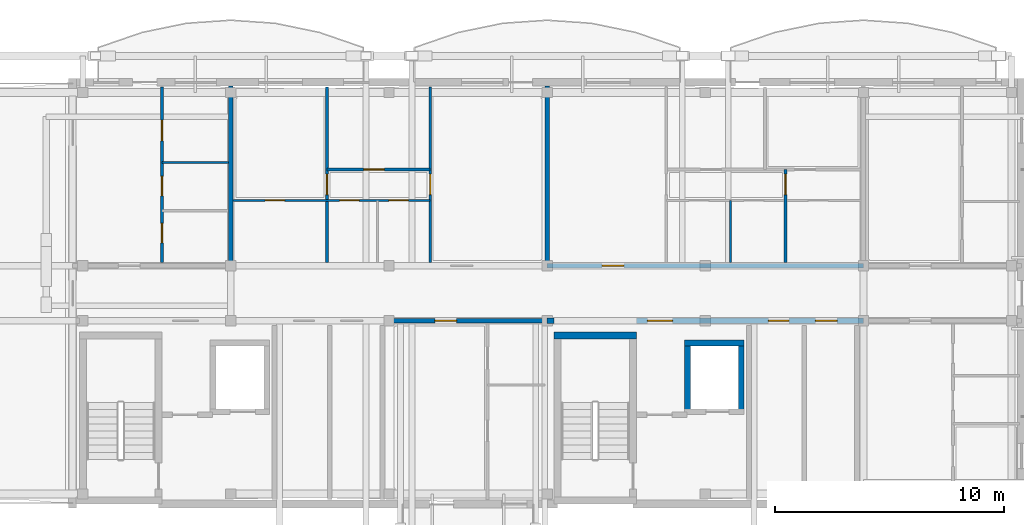
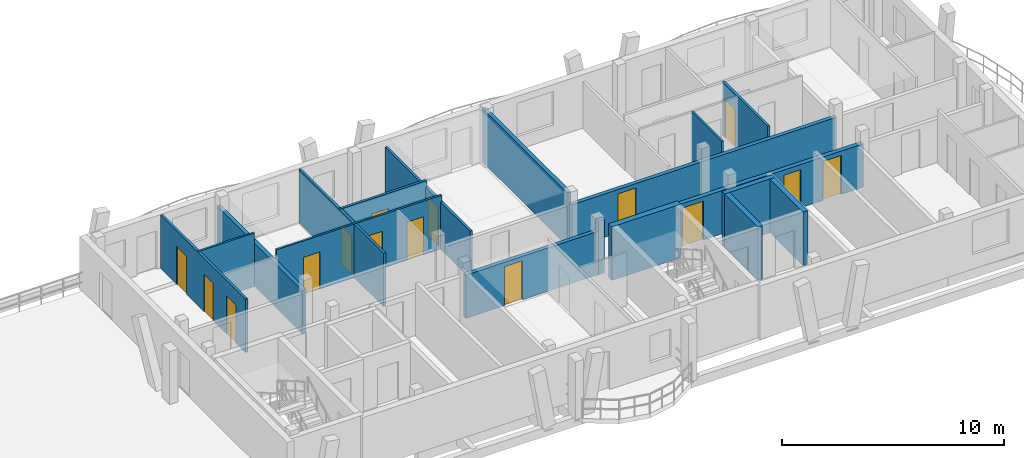
# One storey, part 31 of 44: 18 walls, 15 doors, 15 openings.
"""IFC4 building model written with IfcOpenShell, lengths in metres."""

from ifc_helpers import new_model, si_unit, direction, frame, frame_2d, origin, origin_with_axes, place, context, subcontext, project, spatial, rectangle, extrude, material, layer, layer_set, type_object, element, fill, save


model = new_model("IFC4")

# Units and contexts
model_context = context("Model", 3, precision=1e-05, world=origin(), true_north=direction((0.0, 1.0)))
body_context = subcontext(model_context, "Body", "Model", "MODEL_VIEW")
ifc_project = project(units=[si_unit("LENGTHUNIT", "METRE"), si_unit("AREAUNIT", "SQUARE_METRE"), si_unit("VOLUMEUNIT", "CUBIC_METRE"), si_unit("PLANEANGLEUNIT", "RADIAN"), si_unit("MASSUNIT", "GRAM", prefix="KILO")], contexts=[model_context])

# Site, building, storey
site_placement = place(None, origin())
site = spatial("IfcSite", under=ifc_project, at=site_placement, CompositionType="ELEMENT")
building_placement = place(site_placement, origin())
building = spatial("IfcBuilding", under=site, at=building_placement, Name="Zavelmont Quarter", CompositionType="ELEMENT")
storey_placement = place(building_placement, frame((0.0, 0.0, 20.800048828125)))
storey = spatial("IfcBuildingStorey", under=building, at=storey_placement, Name="L06", CompositionType="ELEMENT", Elevation=20.800048828125)

# Walls
ifc_material_1 = material(Name="Calcium-silicate blockwork and acoustic plaster", Category="masonry")
ifc_layer_1 = layer(ifc_material_1, 0.199951171875)
ifc_layer_set_1 = layer_set([ifc_layer_1], Name="Calcium-silicate blockwork and acoustic plaster")
wall_type_1 = type_object("IfcWallType", Name="IW01", PredefinedType="PARTITIONING", material=ifc_layer_set_1)
wall_1_placement = place(storey_placement, frame((133.5, 108.14990234375, 0.0), z_axis=(0.0, 0.0, 1.0), x_axis=(0.0, 1.0, 0.0)))
element("IfcWall", 1, at=wall_1_placement, inside=storey, type_object=wall_type_1, Name="L06 Inter-dwelling compartment wall IW01", PredefinedType="PARTITIONING", context=body_context, shape_type="SweptSolid", body=[
    extrude(rectangle(XDim=7.7001953125, YDim=0.199951171875, at=frame_2d((3.85009765625, 0.0))), origin(), (0.0, 0.0, 1.0), 2.389892578125),
])
wall_2_placement = place(storey_placement, frame((147.300048828125, 108.14990234375, 0.0), z_axis=(0.0, 0.0, 1.0), x_axis=(0.0, 1.0, 0.0)))
element("IfcWall", 2, at=wall_2_placement, inside=storey, type_object=wall_type_1, Name="L06 Inter-dwelling compartment wall IW01", PredefinedType="PARTITIONING", context=body_context, shape_type="SweptSolid", body=[
    extrude(rectangle(XDim=7.7001953125, YDim=0.199951171875, at=frame_2d((3.85009765625, 0.0))), origin(), (0.0, 0.0, 1.0), 2.949951171875),
])

# Wall, opening, door
wall_3_placement = place(storey_placement, frame((147.300048828125, 108.0, 0.0), z_axis=(0.0, 0.0, 1.0), x_axis=(1.0, 0.0, 0.0)))
wall_3 = element("IfcWall", 3, at=wall_3_placement, inside=storey, type_object=wall_type_1, Name="L06 Corridor compartment wall IW01", PredefinedType="PARTITIONING", context=body_context, shape_type="SweptSolid", body=[
    extrude(rectangle(XDim=13.800048828125, YDim=0.199951171875, at=frame_2d((6.89990234375, 0.0))), origin(), (0.0, 0.0, 1.0), 2.389892578125),
])
opening_1_placement = place(wall_3_placement, frame((2.39990234375, 0.0, 0.0)))
opening_1 = element("IfcOpeningElement", 4, at=opening_1_placement, cuts=wall_3, Name="Opening DR02", PredefinedType="OPENING", context=body_context, shape_type="SweptSolid", body=[
    extrude(rectangle(XDim=0.949951171875, YDim=2.14990234375, at=frame_2d((0.47509765625, 1.074951171875))), frame((0.0, 0.11181640625, 0.0), z_axis=(0.0, -1.0, 0.0), x_axis=(1.0, 0.0, 0.0)), (0.0, 0.0, 1.0), 0.223876953125),
])
ifc_material_2 = material(Name="Solid-core oak fire leaf in steel frame", Category="steel")
door_type_1 = type_object("IfcDoorType", Name="DR02", OperationType="NOTDEFINED", PredefinedType="DOOR", material=ifc_material_2)
door_1_placement = place(opening_1_placement, origin_with_axes())
door_1 = element("IfcDoor", 5, at=door_1_placement, inside=storey, type_object=door_type_1, Name="L06 door DR02", OperationType="SINGLE_SWING_RIGHT", OverallHeight=2.14990234375, OverallWidth=0.949951171875, PredefinedType="DOOR", context=body_context, shape_type="SweptSolid", body=[
    extrude(rectangle(XDim=0.949951171875, YDim=2.14990234375, at=frame_2d((0.47509765625, 1.074951171875))), frame((0.0, 0.02490234375, 0.0), z_axis=(0.0, -1.0, 0.0), x_axis=(1.0, 0.0, 0.0)), (0.0, 0.0, 1.0), 0.050048828125),
])
fill(opening_1, door_1)

wall_4_placement = place(storey_placement, frame((140.39990234375, 105.60009765625, 0.0), z_axis=(0.0, 0.0, 1.0), x_axis=(1.0, 0.0, 0.0)))
wall_4 = element("IfcWall", 6, at=wall_4_placement, inside=storey, type_object=wall_type_1, Name="L06 Corridor compartment wall IW01", PredefinedType="PARTITIONING", context=body_context, shape_type="SweptSolid", body=[
    extrude(rectangle(XDim=6.900146484375, YDim=0.199951171875, at=frame_2d((3.4501953125, 0.0))), origin(), (0.0, 0.0, 1.0), 2.389892578125),
])
opening_2_placement = place(wall_4_placement, frame((2.0, 0.0, 0.0)))
opening_2 = element("IfcOpeningElement", 7, at=opening_2_placement, cuts=wall_4, Name="Opening DR02", PredefinedType="OPENING", context=body_context, shape_type="SweptSolid", body=[
    extrude(rectangle(XDim=0.949951171875, YDim=2.14990234375, at=frame_2d((0.47509765625, 1.074951171875))), frame((0.0, 0.11181640625, 0.0), z_axis=(0.0, -1.0, 0.0), x_axis=(1.0, 0.0, 0.0)), (0.0, 0.0, 1.0), 0.223876953125),
])
door_2_placement = place(opening_2_placement, frame((0.949951171875, 0.0, 0.0), z_axis=(0.0, 0.0, 1.0), x_axis=(-1.0, 0.0, 0.0)))
door_2 = element("IfcDoor", 8, at=door_2_placement, inside=storey, type_object=door_type_1, Name="L06 door DR02", OperationType="SINGLE_SWING_LEFT", OverallHeight=2.14990234375, OverallWidth=0.949951171875, PredefinedType="DOOR", context=body_context, shape_type="SweptSolid", body=[
    extrude(rectangle(XDim=0.949951171875, YDim=2.14990234375, at=frame_2d((0.47509765625, 1.074951171875))), frame((0.0, 0.02490234375, 0.0), z_axis=(0.0, -1.0, 0.0), x_axis=(1.0, 0.0, 0.0)), (0.0, 0.0, 1.0), 0.050048828125),
])
fill(opening_2, door_2)

# Wall
ifc_material_3 = material(Name="Reinforced masonry fire compartment wall", Category="masonry")
ifc_layer_2 = layer(ifc_material_3, 0.22509765625)
ifc_layer_set_2 = layer_set([ifc_layer_2], Name="Reinforced masonry fire compartment wall")
wall_type_2 = type_object("IfcWallType", Name="IW02", PredefinedType="PARTITIONING", material=ifc_layer_set_2)
wall_5_placement = place(storey_placement, frame((147.300048828125, 105.60009765625, 0.0), z_axis=(0.0, 0.0, 1.0), x_axis=(1.0, 0.0, 0.0)))
element("IfcWall", 9, at=wall_5_placement, inside=storey, type_object=wall_type_2, Name="L06 Core corridor wall IW02", PredefinedType="PARTITIONING", context=body_context, shape_type="SweptSolid", body=[
    extrude(rectangle(XDim=0.300048828125, YDim=0.22509765625, at=frame_2d((0.14990234375, 0.0))), origin(), (0.0, 0.0, 1.0), 2.949951171875),
])

# Wall, openings, doors
wall_6_placement = place(storey_placement, frame((151.199951171875, 105.60009765625, 0.0), z_axis=(0.0, 0.0, 1.0), x_axis=(1.0, 0.0, 0.0)))
wall_6 = element("IfcWall", 10, at=wall_6_placement, inside=storey, type_object=wall_type_2, Name="L06 Core corridor fire wall IW02", PredefinedType="PARTITIONING", context=body_context, shape_type="SweptSolid", body=[
    extrude(rectangle(XDim=9.900146484375, YDim=0.22509765625, at=frame_2d((4.9501953125, 0.0))), origin(), (0.0, 0.0, 1.0), 2.389892578125),
])
opening_3_placement = place(wall_6_placement, frame((0.47509765625, 0.0, 0.0)))
opening_3 = element("IfcOpeningElement", 11, at=opening_3_placement, cuts=wall_6, Name="Opening DR10", PredefinedType="OPENING", context=body_context, shape_type="SweptSolid", body=[
    extrude(rectangle(XDim=1.10009765625, YDim=2.14990234375, at=frame_2d((0.550048828125, 1.074951171875))), frame((0.0, 0.12451171875, 0.0), z_axis=(0.0, -1.0, 0.0), x_axis=(1.0, 0.0, 0.0)), (0.0, 0.0, 1.0), 0.2490234375),
])
opening_4_placement = place(wall_6_placement, frame((5.75, 0.0, 0.0)))
opening_4 = element("IfcOpeningElement", 12, at=opening_4_placement, cuts=wall_6, Name="Opening DR11", PredefinedType="OPENING", context=body_context, shape_type="SweptSolid", body=[
    extrude(rectangle(XDim=0.89990234375, YDim=2.10009765625, at=frame_2d((0.449951171875, 1.050048828125))), frame((0.0, 0.12451171875, 0.0), z_axis=(0.0, -1.0, 0.0), x_axis=(1.0, 0.0, 0.0)), (0.0, 0.0, 1.0), 0.2490234375),
])
opening_5_placement = place(wall_6_placement, frame((7.800048828125, 0.0, 0.0)))
opening_5 = element("IfcOpeningElement", 13, at=opening_5_placement, cuts=wall_6, Name="Opening DR02", PredefinedType="OPENING", context=body_context, shape_type="SweptSolid", body=[
    extrude(rectangle(XDim=0.949951171875, YDim=2.14990234375, at=frame_2d((0.47509765625, 1.074951171875))), frame((0.0, 0.12451171875, 0.0), z_axis=(0.0, -1.0, 0.0), x_axis=(1.0, 0.0, 0.0)), (0.0, 0.0, 1.0), 0.2490234375),
])
door_3_placement = place(opening_5_placement, origin_with_axes())
door_3 = element("IfcDoor", 14, at=door_3_placement, inside=storey, type_object=door_type_1, Name="Auxiliary store corridor door", OperationType="SINGLE_SWING_RIGHT", OverallHeight=2.14990234375, OverallWidth=0.949951171875, PredefinedType="DOOR", context=body_context, shape_type="SweptSolid", body=[
    extrude(rectangle(XDim=0.949951171875, YDim=2.14990234375, at=frame_2d((0.47509765625, 1.074951171875))), frame((0.0, 0.02490234375, 0.0), z_axis=(0.0, -1.0, 0.0), x_axis=(1.0, 0.0, 0.0)), (0.0, 0.0, 1.0), 0.050048828125),
])
fill(opening_5, door_3)
ifc_material_4 = material(Name="Painted steel lobby fire door", Category="steel")
door_type_2 = type_object("IfcDoorType", Name="DR10", OperationType="NOTDEFINED", PredefinedType="DOOR", material=ifc_material_4)
door_4_placement = place(opening_3_placement, frame((1.10009765625, 0.0, 0.0), z_axis=(0.0, 0.0, 1.0), x_axis=(-1.0, 0.0, 0.0)))
door_4 = element("IfcDoor", 15, at=door_4_placement, inside=storey, type_object=door_type_2, Name="Core vestibule fire door", OperationType="SINGLE_SWING_RIGHT", OverallHeight=2.14990234375, OverallWidth=1.10009765625, PredefinedType="DOOR", context=body_context, shape_type="SweptSolid", body=[
    extrude(rectangle(XDim=1.10009765625, YDim=2.14990234375, at=frame_2d((0.550048828125, 1.074951171875))), frame((0.0, 0.02490234375, 0.0), z_axis=(0.0, -1.0, 0.0), x_axis=(1.0, 0.0, 0.0)), (0.0, 0.0, 1.0), 0.050048828125),
])
fill(opening_3, door_4)
ifc_material_5 = material(Name="Painted steel service-riser fire door", Category="steel")
door_type_3 = type_object("IfcDoorType", Name="DR11", OperationType="NOTDEFINED", PredefinedType="DOOR", material=ifc_material_5)
door_5_placement = place(opening_4_placement, origin_with_axes())
door_5 = element("IfcDoor", 16, at=door_5_placement, inside=storey, type_object=door_type_3, Name="Service riser fire door", OperationType="SINGLE_SWING_LEFT", OverallHeight=2.10009765625, OverallWidth=0.89990234375, PredefinedType="DOOR", context=body_context, shape_type="SweptSolid", body=[
    extrude(rectangle(XDim=0.89990234375, YDim=2.10009765625, at=frame_2d((0.449951171875, 1.050048828125))), frame((0.0, 0.02490234375, 0.0), z_axis=(0.0, -1.0, 0.0), x_axis=(1.0, 0.0, 0.0)), (0.0, 0.0, 1.0), 0.050048828125),
])
fill(opening_4, door_5)

ifc_material_6 = material(Name="Double gypsum board on acoustic steel stud", Category="steel")
ifc_layer_3 = layer(ifc_material_6, 0.125)
ifc_layer_set_3 = layer_set([ifc_layer_3], Name="Double gypsum board on acoustic steel stud")
wall_type_3 = type_object("IfcWallType", Name="IW03", PredefinedType="PARTITIONING", material=ifc_layer_set_3)
wall_7_placement = place(storey_placement, frame((130.5, 108.14990234375, 0.0), z_axis=(0.0, 0.0, 1.0), x_axis=(0.0, 1.0, 0.0)))
wall_7 = element("IfcWall", 17, at=wall_7_placement, inside=storey, type_object=wall_type_3, Name="L06 Partition IW03", PredefinedType="PARTITIONING", context=body_context, shape_type="SweptSolid", body=[
    extrude(rectangle(XDim=7.650146484375, YDim=0.125, at=frame_2d((3.8251953125, 0.0))), origin(), (0.0, 0.0, 1.0), 2.949951171875),
])
opening_6_placement = place(wall_7_placement, frame((0.85009765625, 0.0, 0.0)))
opening_6 = element("IfcOpeningElement", 18, at=opening_6_placement, cuts=wall_7, Name="Opening DR16", PredefinedType="OPENING", context=body_context, shape_type="SweptSolid", body=[
    extrude(rectangle(XDim=0.85009765625, YDim=2.10009765625, at=frame_2d((0.425048828125, 1.050048828125))), frame((0.0, 0.074462890625, 0.0), z_axis=(0.0, -1.0, 0.0), x_axis=(1.0, 0.0, 0.0)), (0.0, 0.0, 1.0), 0.14892578125),
])
opening_7_placement = place(wall_7_placement, frame((2.89990234375, 0.0, 0.0)))
opening_7 = element("IfcOpeningElement", 19, at=opening_7_placement, cuts=wall_7, Name="Opening DR06", PredefinedType="OPENING", context=body_context, shape_type="SweptSolid", body=[
    extrude(rectangle(XDim=0.85009765625, YDim=2.050048828125, at=frame_2d((0.425048828125, 1.02490234375))), frame((0.0, 0.074462890625, 0.0), z_axis=(0.0, -1.0, 0.0), x_axis=(1.0, 0.0, 0.0)), (0.0, 0.0, 1.0), 0.14892578125),
])
opening_8_placement = place(wall_7_placement, frame((5.300048828125, 0.0, 0.0)))
opening_8 = element("IfcOpeningElement", 20, at=opening_8_placement, cuts=wall_7, Name="Opening DR05", PredefinedType="OPENING", context=body_context, shape_type="SweptSolid", body=[
    extrude(rectangle(XDim=0.89990234375, YDim=2.10009765625, at=frame_2d((0.449951171875, 1.050048828125))), frame((0.0, 0.074462890625, 0.0), z_axis=(0.0, -1.0, 0.0), x_axis=(1.0, 0.0, 0.0)), (0.0, 0.0, 1.0), 0.14892578125),
])
ifc_material_7 = material(Name="Engineered oak flush interior door")
door_type_4 = type_object("IfcDoorType", Name="DR05", OperationType="NOTDEFINED", PredefinedType="DOOR", material=ifc_material_7)
door_6_placement = place(opening_8_placement, origin_with_axes())
door_6 = element("IfcDoor", 21, at=door_6_placement, inside=storey, type_object=door_type_4, Name="L06 door DR05", OperationType="SINGLE_SWING_LEFT", OverallHeight=2.10009765625, OverallWidth=0.89990234375, PredefinedType="DOOR", context=body_context, shape_type="SweptSolid", body=[
    extrude(rectangle(XDim=0.89990234375, YDim=2.10009765625, at=frame_2d((0.449951171875, 1.050048828125))), frame((0.0, 0.02490234375, 0.0), z_axis=(0.0, -1.0, 0.0), x_axis=(1.0, 0.0, 0.0)), (0.0, 0.0, 1.0), 0.050048828125),
])
fill(opening_8, door_6)
ifc_material_8 = material(Name="Moisture-resistant painted wet-room door")
door_type_5 = type_object("IfcDoorType", Name="DR06", OperationType="NOTDEFINED", PredefinedType="DOOR", material=ifc_material_8)
door_7_placement = place(opening_7_placement, frame((0.85009765625, 0.0, 0.0), z_axis=(0.0, 0.0, 1.0), x_axis=(-1.0, 0.0, 0.0)))
door_7 = element("IfcDoor", 22, at=door_7_placement, inside=storey, type_object=door_type_5, Name="L06 door DR06", OperationType="SINGLE_SWING_RIGHT", OverallHeight=2.050048828125, OverallWidth=0.85009765625, PredefinedType="DOOR", context=body_context, shape_type="SweptSolid", body=[
    extrude(rectangle(XDim=0.85009765625, YDim=2.050048828125, at=frame_2d((0.425048828125, 1.02490234375))), frame((0.0, 0.02490234375, 0.0), z_axis=(0.0, -1.0, 0.0), x_axis=(1.0, 0.0, 0.0)), (0.0, 0.0, 1.0), 0.050048828125),
])
fill(opening_7, door_7)
door_type_6 = type_object("IfcDoorType", Name="DR16", OperationType="NOTDEFINED", PredefinedType="DOOR", material=ifc_material_7)
door_8_placement = place(opening_6_placement, origin_with_axes())
door_8 = element("IfcDoor", 23, at=door_8_placement, inside=storey, type_object=door_type_6, Name="L06 door DR16", OperationType="SINGLE_SWING_LEFT", OverallHeight=2.10009765625, OverallWidth=0.85009765625, PredefinedType="DOOR", context=body_context, shape_type="SweptSolid", body=[
    extrude(rectangle(XDim=0.85009765625, YDim=2.10009765625, at=frame_2d((0.425048828125, 1.050048828125))), frame((0.0, 0.02490234375, 0.0), z_axis=(0.0, -1.0, 0.0), x_axis=(1.0, 0.0, 0.0)), (0.0, 0.0, 1.0), 0.050048828125),
])
fill(opening_6, door_8)

# Wall, opening, door
wall_8_placement = place(storey_placement, frame((142.199951171875, 108.14990234375, 0.0), z_axis=(0.0, 0.0, 1.0), x_axis=(0.0, 1.0, 0.0)))
wall_8 = element("IfcWall", 24, at=wall_8_placement, inside=storey, type_object=wall_type_3, Name="L06 Partition IW03", PredefinedType="PARTITIONING", context=body_context, shape_type="SweptSolid", body=[
    extrude(rectangle(XDim=7.650146484375, YDim=0.125, at=frame_2d((3.8251953125, 0.0))), origin(), (0.0, 0.0, 1.0), 2.58984375),
])
opening_9_placement = place(wall_8_placement, frame((2.949951171875, 0.0, 0.0)))
opening_9 = element("IfcOpeningElement", 25, at=opening_9_placement, cuts=wall_8, Name="Opening DR05", PredefinedType="OPENING", context=body_context, shape_type="SweptSolid", body=[
    extrude(rectangle(XDim=0.89990234375, YDim=2.10009765625, at=frame_2d((0.449951171875, 1.050048828125))), frame((0.0, 0.074462890625, 0.0), z_axis=(0.0, -1.0, 0.0), x_axis=(1.0, 0.0, 0.0)), (0.0, 0.0, 1.0), 0.14892578125),
])
door_9_placement = place(opening_9_placement, origin_with_axes())
door_9 = element("IfcDoor", 26, at=door_9_placement, inside=storey, type_object=door_type_4, Name="L06 door DR05", OperationType="SINGLE_SWING_RIGHT", OverallHeight=2.10009765625, OverallWidth=0.89990234375, PredefinedType="DOOR", context=body_context, shape_type="SweptSolid", body=[
    extrude(rectangle(XDim=0.89990234375, YDim=2.10009765625, at=frame_2d((0.449951171875, 1.050048828125))), frame((0.0, 0.02490234375, 0.0), z_axis=(0.0, -1.0, 0.0), x_axis=(1.0, 0.0, 0.0)), (0.0, 0.0, 1.0), 0.050048828125),
])
fill(opening_9, door_9)

wall_9_placement = place(storey_placement, frame((137.699951171875, 108.14990234375, 0.0), z_axis=(0.0, 0.0, 1.0), x_axis=(0.0, 1.0, 0.0)))
wall_9 = element("IfcWall", 27, at=wall_9_placement, inside=storey, type_object=wall_type_3, Name="L06 Partition IW03", PredefinedType="PARTITIONING", context=body_context, shape_type="SweptSolid", body=[
    extrude(rectangle(XDim=7.650146484375, YDim=0.125, at=frame_2d((3.8251953125, 0.0))), origin(), (0.0, 0.0, 1.0), 2.949951171875),
])
opening_10_placement = place(wall_9_placement, frame((2.949951171875, 0.0, 0.0)))
opening_10 = element("IfcOpeningElement", 28, at=opening_10_placement, cuts=wall_9, Name="Opening DR05", PredefinedType="OPENING", context=body_context, shape_type="SweptSolid", body=[
    extrude(rectangle(XDim=0.89990234375, YDim=2.10009765625, at=frame_2d((0.449951171875, 1.050048828125))), frame((0.0, 0.074462890625, 0.0), z_axis=(0.0, -1.0, 0.0), x_axis=(1.0, 0.0, 0.0)), (0.0, 0.0, 1.0), 0.14892578125),
])
door_10_placement = place(opening_10_placement, frame((0.89990234375, 0.0, 0.0), z_axis=(0.0, 0.0, 1.0), x_axis=(-1.0, 0.0, 0.0)))
door_10 = element("IfcDoor", 29, at=door_10_placement, inside=storey, type_object=door_type_4, Name="L06 door DR05", OperationType="SINGLE_SWING_LEFT", OverallHeight=2.10009765625, OverallWidth=0.89990234375, PredefinedType="DOOR", context=body_context, shape_type="SweptSolid", body=[
    extrude(rectangle(XDim=0.89990234375, YDim=2.10009765625, at=frame_2d((0.449951171875, 1.050048828125))), frame((0.0, 0.02490234375, 0.0), z_axis=(0.0, -1.0, 0.0), x_axis=(1.0, 0.0, 0.0)), (0.0, 0.0, 1.0), 0.050048828125),
])
fill(opening_10, door_10)

wall_10_placement = place(storey_placement, frame((137.699951171875, 112.199951171875, 0.0), z_axis=(0.0, 0.0, 1.0), x_axis=(1.0, 0.0, 0.0)))
wall_10 = element("IfcWall", 30, at=wall_10_placement, inside=storey, type_object=wall_type_3, Name="L06 Partition IW03", PredefinedType="PARTITIONING", context=body_context, shape_type="SweptSolid", body=[
    extrude(rectangle(XDim=4.5, YDim=0.125, at=frame_2d((2.25, 0.0))), origin(), (0.0, 0.0, 1.0), 2.949951171875),
])
opening_11_placement = place(wall_10_placement, frame((1.60009765625, 0.0, 0.0)))
opening_11 = element("IfcOpeningElement", 31, at=opening_11_placement, cuts=wall_10, Name="Opening DR05", PredefinedType="OPENING", context=body_context, shape_type="SweptSolid", body=[
    extrude(rectangle(XDim=0.89990234375, YDim=2.10009765625, at=frame_2d((0.449951171875, 1.050048828125))), frame((0.0, 0.074462890625, 0.0), z_axis=(0.0, -1.0, 0.0), x_axis=(1.0, 0.0, 0.0)), (0.0, 0.0, 1.0), 0.14892578125),
])
door_11_placement = place(opening_11_placement, frame((0.89990234375, 0.0, 0.0), z_axis=(0.0, 0.0, 1.0), x_axis=(-1.0, 0.0, 0.0)))
door_11 = element("IfcDoor", 32, at=door_11_placement, inside=storey, type_object=door_type_4, Name="L06 door DR05", OperationType="SINGLE_SWING_LEFT", OverallHeight=2.10009765625, OverallWidth=0.89990234375, PredefinedType="DOOR", context=body_context, shape_type="SweptSolid", body=[
    extrude(rectangle(XDim=0.89990234375, YDim=2.10009765625, at=frame_2d((0.449951171875, 1.050048828125))), frame((0.0, 0.02490234375, 0.0), z_axis=(0.0, -1.0, 0.0), x_axis=(1.0, 0.0, 0.0)), (0.0, 0.0, 1.0), 0.050048828125),
])
fill(opening_11, door_11)

wall_11_placement = place(storey_placement, frame((157.699951171875, 108.14990234375, 0.0), z_axis=(0.0, 0.0, 1.0), x_axis=(0.0, 1.0, 0.0)))
wall_11 = element("IfcWall", 33, at=wall_11_placement, inside=storey, type_object=wall_type_3, Name="L06 Partition IW03", PredefinedType="PARTITIONING", context=body_context, shape_type="SweptSolid", body=[
    extrude(rectangle(XDim=4.050048828125, YDim=0.125, at=frame_2d((2.02490234375, 0.0))), origin(), (0.0, 0.0, 1.0), 2.949951171875),
])
opening_12_placement = place(wall_11_placement, frame((2.949951171875, 0.0, 0.0)))
opening_12 = element("IfcOpeningElement", 34, at=opening_12_placement, cuts=wall_11, Name="Opening DR05", PredefinedType="OPENING", context=body_context, shape_type="SweptSolid", body=[
    extrude(rectangle(XDim=0.89990234375, YDim=2.10009765625, at=frame_2d((0.449951171875, 1.050048828125))), frame((0.0, 0.074462890625, 0.0), z_axis=(0.0, -1.0, 0.0), x_axis=(1.0, 0.0, 0.0)), (0.0, 0.0, 1.0), 0.14892578125),
])
door_12_placement = place(opening_12_placement, origin_with_axes())
door_12 = element("IfcDoor", 35, at=door_12_placement, inside=storey, type_object=door_type_4, Name="L06 door DR05", OperationType="SINGLE_SWING_LEFT", OverallHeight=2.10009765625, OverallWidth=0.89990234375, PredefinedType="DOOR", context=body_context, shape_type="SweptSolid", body=[
    extrude(rectangle(XDim=0.89990234375, YDim=2.10009765625, at=frame_2d((0.449951171875, 1.050048828125))), frame((0.0, 0.02490234375, 0.0), z_axis=(0.0, -1.0, 0.0), x_axis=(1.0, 0.0, 0.0)), (0.0, 0.0, 1.0), 0.050048828125),
])
fill(opening_12, door_12)

# Wall
ifc_material_9 = material(Name="Moisture-resistant gypsum board on steel stud", Category="steel")
ifc_layer_4 = layer(ifc_material_9, 0.10009765625)
ifc_layer_set_4 = layer_set([ifc_layer_4], Name="Moisture-resistant gypsum board on steel stud")
wall_type_4 = type_object("IfcWallType", Name="IW04", PredefinedType="PARTITIONING", material=ifc_layer_set_4)
wall_12_placement = place(storey_placement, frame((130.5, 112.5, 0.0), z_axis=(0.0, 0.0, 1.0), x_axis=(1.0, 0.0, 0.0)))
element("IfcWall", 36, at=wall_12_placement, inside=storey, type_object=wall_type_4, Name="L06 Partition IW04", PredefinedType="PARTITIONING", context=body_context, shape_type="SweptSolid", body=[
    extrude(rectangle(XDim=2.89990234375, YDim=0.10009765625, at=frame_2d((1.449951171875, 0.0))), origin(), (0.0, 0.0, 1.0), 2.949951171875),
])

# Wall, openings, doors
wall_13_placement = place(storey_placement, frame((133.60009765625, 110.85009765625, 0.0), z_axis=(0.0, 0.0, 1.0), x_axis=(1.0, 0.0, 0.0)))
wall_13 = element("IfcWall", 37, at=wall_13_placement, inside=storey, type_object=wall_type_4, Name="L06 Partition IW04", PredefinedType="PARTITIONING", context=body_context, shape_type="SweptSolid", body=[
    extrude(rectangle(XDim=8.599853515625, YDim=0.10009765625, at=frame_2d((4.2998046875, 0.0))), origin(), (0.0, 0.0, 1.0), 2.949951171875),
])
opening_13_placement = place(wall_13_placement, frame((1.39990234375, 0.0, 0.0)))
opening_13 = element("IfcOpeningElement", 38, at=opening_13_placement, cuts=wall_13, Name="Opening DR06", PredefinedType="OPENING", context=body_context, shape_type="SweptSolid", body=[
    extrude(rectangle(XDim=0.85009765625, YDim=2.050048828125, at=frame_2d((0.425048828125, 1.02490234375))), frame((0.0, 0.06201171875, 0.0), z_axis=(0.0, -1.0, 0.0), x_axis=(1.0, 0.0, 0.0)), (0.0, 0.0, 1.0), 0.1240234375),
])
opening_14_placement = place(wall_13_placement, frame((4.64990234375, 0.0, 0.0)))
opening_14 = element("IfcOpeningElement", 39, at=opening_14_placement, cuts=wall_13, Name="Opening DR06", PredefinedType="OPENING", context=body_context, shape_type="SweptSolid", body=[
    extrude(rectangle(XDim=0.85009765625, YDim=2.050048828125, at=frame_2d((0.425048828125, 1.02490234375))), frame((0.0, 0.06201171875, 0.0), z_axis=(0.0, -1.0, 0.0), x_axis=(1.0, 0.0, 0.0)), (0.0, 0.0, 1.0), 0.1240234375),
])
opening_15_placement = place(wall_13_placement, frame((6.800048828125, 0.0, 0.0)))
opening_15 = element("IfcOpeningElement", 40, at=opening_15_placement, cuts=wall_13, Name="Opening DR16", PredefinedType="OPENING", context=body_context, shape_type="SweptSolid", body=[
    extrude(rectangle(XDim=0.85009765625, YDim=2.10009765625, at=frame_2d((0.425048828125, 1.050048828125))), frame((0.0, 0.06201171875, 0.0), z_axis=(0.0, -1.0, 0.0), x_axis=(1.0, 0.0, 0.0)), (0.0, 0.0, 1.0), 0.1240234375),
])
door_13_placement = place(opening_13_placement, origin_with_axes())
door_13 = element("IfcDoor", 41, at=door_13_placement, inside=storey, type_object=door_type_5, Name="L06 door DR06", OperationType="SINGLE_SWING_RIGHT", OverallHeight=2.050048828125, OverallWidth=0.85009765625, PredefinedType="DOOR", context=body_context, shape_type="SweptSolid", body=[
    extrude(rectangle(XDim=0.85009765625, YDim=2.050048828125, at=frame_2d((0.425048828125, 1.02490234375))), frame((0.0, 0.02490234375, 0.0), z_axis=(0.0, -1.0, 0.0), x_axis=(1.0, 0.0, 0.0)), (0.0, 0.0, 1.0), 0.050048828125),
])
fill(opening_13, door_13)
door_14_placement = place(opening_14_placement, frame((0.85009765625, 0.0, 0.0), z_axis=(0.0, 0.0, 1.0), x_axis=(-1.0, 0.0, 0.0)))
door_14 = element("IfcDoor", 42, at=door_14_placement, inside=storey, type_object=door_type_5, Name="L06 door DR06", OperationType="SINGLE_SWING_LEFT", OverallHeight=2.050048828125, OverallWidth=0.85009765625, PredefinedType="DOOR", context=body_context, shape_type="SweptSolid", body=[
    extrude(rectangle(XDim=0.85009765625, YDim=2.050048828125, at=frame_2d((0.425048828125, 1.02490234375))), frame((0.0, 0.02490234375, 0.0), z_axis=(0.0, -1.0, 0.0), x_axis=(1.0, 0.0, 0.0)), (0.0, 0.0, 1.0), 0.050048828125),
])
fill(opening_14, door_14)
door_15_placement = place(opening_15_placement, origin_with_axes())
door_15 = element("IfcDoor", 43, at=door_15_placement, inside=storey, type_object=door_type_6, Name="L06 door DR16", OperationType="SINGLE_SWING_RIGHT", OverallHeight=2.10009765625, OverallWidth=0.85009765625, PredefinedType="DOOR", context=body_context, shape_type="SweptSolid", body=[
    extrude(rectangle(XDim=0.85009765625, YDim=2.10009765625, at=frame_2d((0.425048828125, 1.050048828125))), frame((0.0, 0.02490234375, 0.0), z_axis=(0.0, -1.0, 0.0), x_axis=(1.0, 0.0, 0.0)), (0.0, 0.0, 1.0), 0.050048828125),
])
fill(opening_15, door_15)

# Walls
wall_14_placement = place(storey_placement, frame((155.300048828125, 108.14990234375, 0.0), z_axis=(0.0, 0.0, 1.0), x_axis=(0.0, 1.0, 0.0)))
element("IfcWall", 44, at=wall_14_placement, inside=storey, type_object=wall_type_4, Name="L06 Partition IW04", PredefinedType="PARTITIONING", context=body_context, shape_type="SweptSolid", body=[
    extrude(rectangle(XDim=2.7001953125, YDim=0.10009765625, at=frame_2d((1.35009765625, 0.0))), origin(), (0.0, 0.0, 1.0), 2.949951171875),
])
ifc_material_10 = material(Name="Concrete C40/50", Category="concrete")
ifc_layer_5 = layer(ifc_material_10, 0.300048828125)
ifc_layer_set_5 = layer_set([ifc_layer_5], Name="Concrete C40/50")
wall_type_5 = type_object("IfcWallType", Name="SW01", PredefinedType="SHEAR", material=ifc_layer_set_5)
wall_15_placement = place(storey_placement, frame((147.60009765625, 104.949951171875, 0.0), z_axis=(0.0, 0.0, 1.0), x_axis=(1.0, 0.0, 0.0)))
element("IfcWall", 45, at=wall_15_placement, inside=storey, type_object=wall_type_5, Name="L06 ST06 corridor shear wall SW01", PredefinedType="SHEAR", context=body_context, shape_type="SweptSolid", body=[
    extrude(rectangle(XDim=3.599853515625, YDim=0.300048828125, at=frame_2d((1.7998046875, 0.0))), origin(), (0.0, 0.0, 1.0), 2.949951171875),
])
ifc_layer_6 = layer(ifc_material_10, 0.25)
ifc_layer_set_6 = layer_set([ifc_layer_6], Name="Concrete C40/50")
wall_type_6 = type_object("IfcWallType", Name="SW02", PredefinedType="SHEAR", material=ifc_layer_set_6)
wall_16_placement = place(storey_placement, frame((153.300048828125, 104.625, 0.0), z_axis=(0.0, 0.0, 1.0), x_axis=(1.0, 0.0, 0.0)))
element("IfcWall", 46, at=wall_16_placement, inside=storey, type_object=wall_type_6, Name="L06 Lift LF06 back shaft wall SW02", PredefinedType="SHEAR", context=body_context, shape_type="SweptSolid", body=[
    extrude(rectangle(XDim=2.599853515625, YDim=0.25, at=frame_2d((1.2998046875, 0.0))), origin(), (0.0, 0.0, 1.0), 2.949951171875),
])
for number, where, z_axis, x_axis, name in (
    (47, (153.425048828125, 101.5, 0.0), (0.0, 0.0, 1.0), (0.0, 1.0, 0.0), "L06 Lift LF06 west shaft wall SW02"),
    (48, (155.77490234375, 101.5, 0.0), (0.0, 0.0, 1.0), (0.0, 1.0, 0.0), "L06 Lift LF06 east shaft wall SW02"),
):
    element("IfcWall", number, at=place(storey_placement, frame(where, z_axis=z_axis, x_axis=x_axis)), inside=storey, type_object=wall_type_6, Name=name, PredefinedType="SHEAR", context=body_context, shape_type="SweptSolid", body=[
        extrude(rectangle(XDim=3.25, YDim=0.25, at=frame_2d((1.625, 0.0))), origin(), (0.0, 0.0, 1.0), 2.949951171875),
    ])

save(model, "model.ifc")
